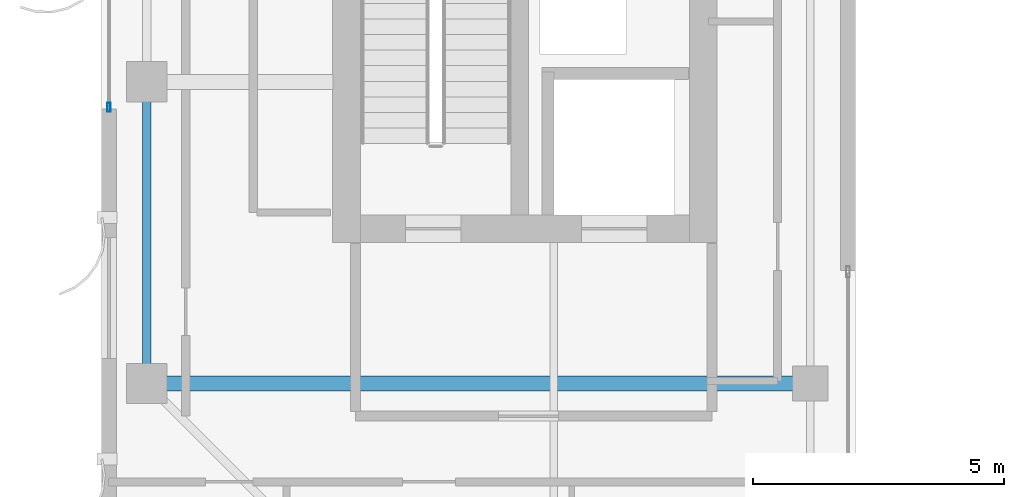
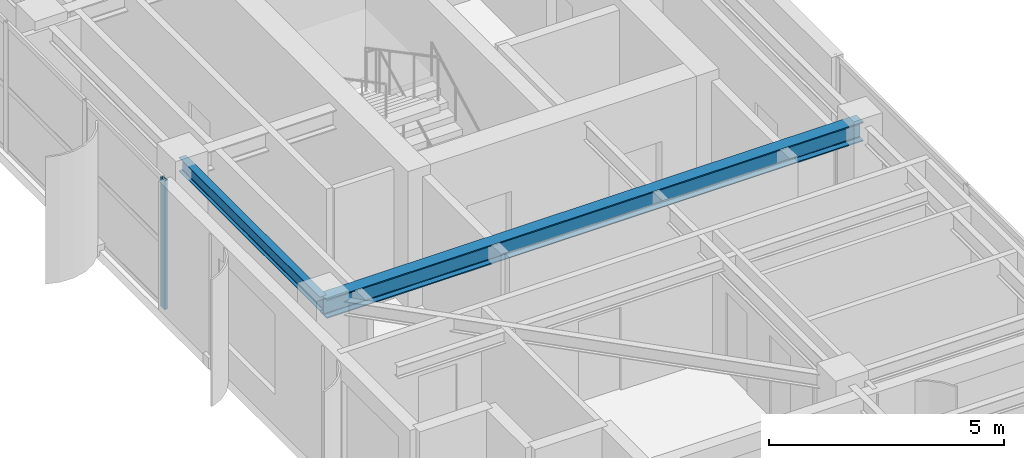
# One storey, part 3 of 22: 2 beams, 1 member, 1 element without a shape of its own.
"""IFC4 building model written with IfcOpenShell, lengths in metres."""

from ifc_helpers import new_model, si_unit, direction, frame, origin, origin_2d, place, context, subcontext, project, spatial, hollow_rectangle, i_section, extrude, source, transform, mapped, material, layer, layer_set, material_profile, profile_set, type_object, element, aggregate, save


model = new_model("IFC4")

# Units and contexts
model_context = context("Model", 3, precision=1e-05, world=origin(), true_north=direction((0.0, 1.0)))
body_context = subcontext(model_context, "Body", "Model", "MODEL_VIEW")
ifc_project = project(units=[si_unit("LENGTHUNIT", "METRE"), si_unit("AREAUNIT", "SQUARE_METRE"), si_unit("VOLUMEUNIT", "CUBIC_METRE"), si_unit("PLANEANGLEUNIT", "RADIAN"), si_unit("MASSUNIT", "GRAM", prefix="KILO")], contexts=[model_context])

# Site, building, storey
site_placement = place(None, origin())
site = spatial("IfcSite", under=ifc_project, at=site_placement, CompositionType="ELEMENT")
building_placement = place(site_placement, origin())
building = spatial("IfcBuilding", under=site, at=building_placement, Name="Khoralis Quay Care Tower", CompositionType="ELEMENT")
storey_placement = place(building_placement, frame((0.0, 0.0, 242.10009765625)))
storey = spatial("IfcBuildingStorey", under=building, at=storey_placement, Name="L63", CompositionType="ELEMENT", Elevation=242.10009765625)

# Beams
ifc_material_1 = material(Name="Steel S355", Category="steel")
ifc_material_profile_1 = material_profile(ifc_material_1, i_section(OverallWidth=0.169921875, OverallDepth=0.360107421875, WebThickness=0.008056640625, FlangeThickness=0.0126953125, FilletRadius=0.01806640625, at=origin_2d()), Name="Steel S355")
ifc_profile_set_1 = profile_set([ifc_material_profile_1], Name="Steel S355")
beam_type_1 = type_object("IfcBeamType", Name="BM-IPE360", PredefinedType="SPANDREL", material=ifc_profile_set_1)
shared_shape_1 = source(origin(), body_context, "Body", "SweptSolid", [
    extrude(i_section(OverallWidth=0.169921875, OverallDepth=0.360107421875, WebThickness=0.008056640625, FlangeThickness=0.0126953125, FilletRadius=0.01806640625, at=origin_2d()), origin(), (0.0, 0.0, 1.0), 6.0),
])
beam_1_placement = place(storey_placement, frame((3.89990234375, 12.0, 3.179931640625), z_axis=(0.0, 1.0, 0.0), x_axis=(-1.0, 0.0, 0.0)))
element("IfcBeam", 1, at=beam_1_placement, inside=storey, type_object=beam_type_1, Name="BM-TSP-L63-05", PredefinedType="SPANDREL", context=body_context, shape_type="MappedRepresentation", body=[
    mapped(shared_shape_1, transform((0.0, 0.0, 0.0), scale=1.0)),
])
ifc_material_profile_2 = material_profile(ifc_material_1, i_section(OverallWidth=0.300048828125, OverallDepth=0.5, WebThickness=0.014404296875, FlangeThickness=0.028076171875, FilletRadius=0.027099609375, at=origin_2d()), Name="Steel S355")
ifc_profile_set_2 = profile_set([ifc_material_profile_2], Name="Steel S355")
beam_type_2 = type_object("IfcBeamType", Name="BM-HEB500", PredefinedType="BEAM", material=ifc_profile_set_2)
shared_shape_2 = source(origin(), body_context, "Body", "SweptSolid", [
    extrude(i_section(OverallWidth=0.300048828125, OverallDepth=0.5, WebThickness=0.014404296875, FlangeThickness=0.028076171875, FilletRadius=0.027099609375, at=origin_2d()), origin(), (0.0, 0.0, 1.0), 13.2001953125),
])
beam_2_placement = place(storey_placement, frame((3.89990234375, 12.0, 3.10986328125), z_axis=(1.0, 0.0, 0.0), x_axis=(0.0, 1.0, 0.0)))
element("IfcBeam", 2, at=beam_2_placement, inside=storey, type_object=beam_type_2, Name="BM-TGXW-L63-120", PredefinedType="BEAM", context=body_context, shape_type="MappedRepresentation", body=[
    mapped(shared_shape_2, transform((0.0, 0.0, 0.0), scale=1.0)),
])

# Curtain wall, member
ifc_material_2 = material(Name="Pale anodised aluminium", Category="aluminium")
ifc_layer = layer(ifc_material_2, 0.159912109375)
ifc_layer_set = layer_set([ifc_layer], Name="Pale anodised aluminium")
curtain_wall_type = type_object("IfcCurtainWallType", Name="CW-SYS-Z3", PredefinedType="NOTDEFINED", material=ifc_layer_set)
curtain_wall_placement = place(storey_placement, origin())
curtain_wall = element("IfcCurtainWall", 3, at=curtain_wall_placement, inside=storey, type_object=curtain_wall_type, Name="L63 Unitised Curtain Wall CW-L63-P1-E7", PredefinedType="NOTDEFINED")
ifc_material_profile_3 = material_profile(ifc_material_2, hollow_rectangle(XDim=0.06494140625, YDim=0.179931640625, WallThickness=0.00390625, at=origin_2d()), Name="Pale anodised aluminium")
ifc_profile_set_3 = profile_set([ifc_material_profile_3], Name="Pale anodised aluminium")
member_type = type_object("IfcMemberType", Name="CW-MUL-180", PredefinedType="MULLION", material=ifc_profile_set_3)
shared_shape_3 = source(origin(), body_context, "Body", "SweptSolid", [
    extrude(hollow_rectangle(XDim=0.06494140625, YDim=0.179931640625, WallThickness=0.00390625, at=origin_2d()), origin(), (0.0, 0.0, 1.0), 3.35986328125),
])
member_placement = place(storey_placement, frame((3.14990234375, 17.489990234375, 0.0), z_axis=(0.0, 0.0, 1.0), x_axis=(1.0, 0.0, 0.0)))
member = element("IfcMember", 4, at=member_placement, type_object=member_type, Name="CW3 mullion 4", PredefinedType="MULLION", context=body_context, shape_type="MappedRepresentation", body=[
    mapped(shared_shape_3, transform((0.0, 0.0, 0.0), scale=1.0)),
])
aggregate(curtain_wall, [member])

save(model, "model.ifc")
